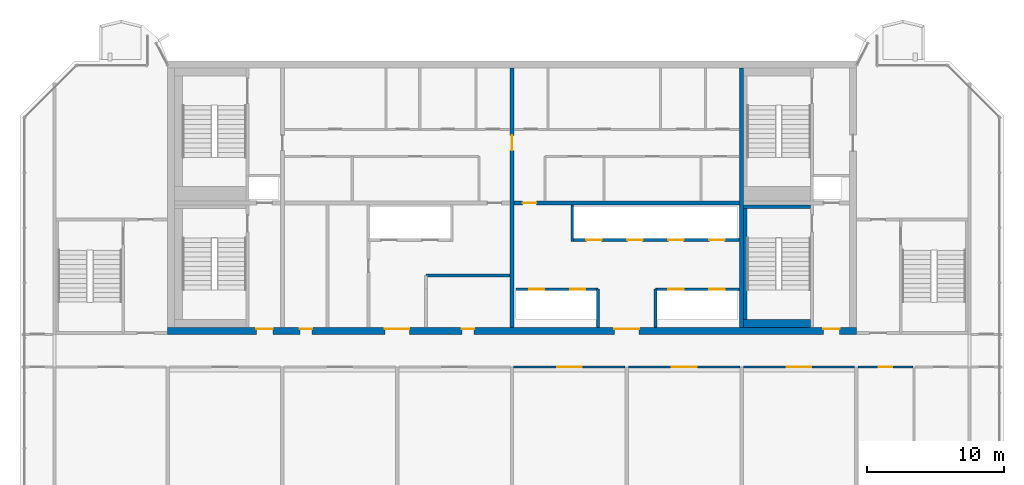
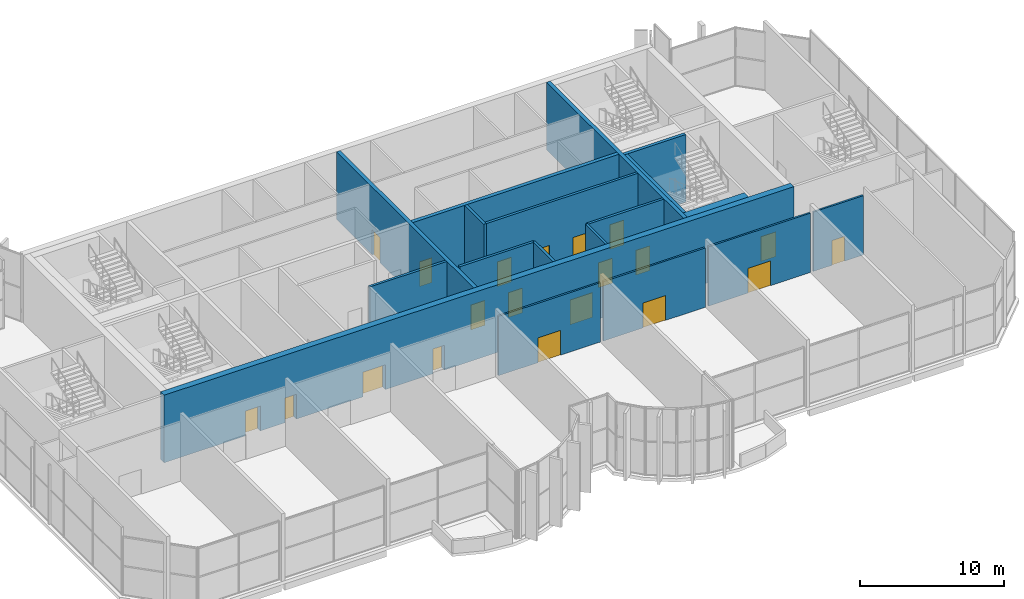
# One storey, part 14 of 17: 20 doors, 18 walls, 20 openings.
"""IFC4 building model written with IfcOpenShell, lengths in metres."""

import ifcopenshell
import ifcopenshell.guid

model = None  # the IFC model being written
_history = None  # IfcOwnerHistory: only IFC2X3 demands one
_inside = {}  # id of a spatial element -> (the spatial element, [elements in it])
_under = {}  # id of a project, library or spatial element -> (it, [spatial elements below it])
_declared = {}  # id of a project -> (the project, [libraries it declares])
_typed = {}  # id of a type object -> (the type object, [elements of that type])
_made_of = {}  # id of a material, layer set ... -> (it, [elements and type objects made of it])


def new_model(schema):
    """Start an empty IFC model of exactly this schema.

    Asked for "IFC4X3", IfcOpenShell would pick the latest addendum, in which some entities
    have other attributes; the version numbers below select the first issue.
    IFC2X3 requires an IfcOwnerHistory on every rooted entity: one is made here for all.
    """
    global model, _history
    if schema == "IFC4X3":
        model = ifcopenshell.file(schema_version=(4, 3, 0, 0))
    else:
        model = ifcopenshell.file(schema=schema)
    _inside.clear()
    _under.clear()
    _declared.clear()
    _typed.clear()
    _made_of.clear()
    _history = None
    if model.schema == "IFC2X3":
        org = make("IfcOrganization", Name="unknown")
        user = make(
            "IfcPersonAndOrganization",
            ThePerson=make("IfcPerson", FamilyName="unknown"),
            TheOrganization=org,
        )
        app = make(
            "IfcApplication",
            ApplicationDeveloper=org,
            Version="unknown",
            ApplicationFullName="unknown",
            ApplicationIdentifier="unknown",
        )
        _history = make(
            "IfcOwnerHistory",
            OwningUser=user,
            OwningApplication=app,
            ChangeAction="ADDED",
            CreationDate=0,
        )
    return model


def make(cls, **values):
    """One entity of the class cls with the attributes given. An attribute that is None is left unset."""
    return model.create_entity(
        cls, **{name: value for name, value in values.items() if value is not None}
    )


def rooted(cls, **values):
    """An entity with a GlobalId (a new one), such as an element, a storey or a relation."""
    return make(cls, GlobalId=ifcopenshell.guid.new(), OwnerHistory=_history, **values)


def si_unit(unit_type, name, prefix=None):
    """IfcSIUnit, for example si_unit("LENGTHUNIT", "METRE", prefix="MILLI")."""
    return make("IfcSIUnit", UnitType=unit_type, Prefix=prefix, Name=name)


def assignment(units):
    """IfcUnitAssignment: the units of a project."""
    return None if units is None else make("IfcUnitAssignment", Units=units)


def point(xyz):
    """IfcCartesianPoint."""
    return None if xyz is None else make("IfcCartesianPoint", Coordinates=xyz)


def direction(xyz):
    """IfcDirection."""
    return None if xyz is None else make("IfcDirection", DirectionRatios=xyz)


def frame(location, z_axis=None, x_axis=None):
    """IfcAxis2Placement3D, a coordinate frame: its origin and axes. An axis left out is left unset."""
    return make(
        "IfcAxis2Placement3D",
        Location=point(location),
        Axis=direction(z_axis),
        RefDirection=direction(x_axis),
    )


def frame_2d(location, x_axis=None):
    """IfcAxis2Placement2D, a coordinate frame in the plane: its origin and x axis."""
    return make(
        "IfcAxis2Placement2D", Location=point(location), RefDirection=direction(x_axis)
    )


def origin():
    """The frame at (0, 0, 0) with its axes left unset."""
    return frame((0.0, 0.0, 0.0))


def place(relative_to, where):
    """IfcLocalPlacement: puts the frame where relative to a parent placement (None: the world)."""
    return make(
        "IfcLocalPlacement", PlacementRelTo=relative_to, RelativePlacement=where
    )


def context(
    kind, dimensions, precision=None, world=None, true_north=None, identifier=None
):
    """IfcGeometricRepresentationContext, for example the 3D "Model" context."""
    return make(
        "IfcGeometricRepresentationContext",
        ContextIdentifier=identifier,
        ContextType=kind,
        CoordinateSpaceDimension=dimensions,
        Precision=precision,
        WorldCoordinateSystem=world,
        TrueNorth=true_north,
    )


def subcontext(parent, identifier, kind, view, scale=None):
    """IfcGeometricRepresentationSubContext, for example "Body" below "Model"."""
    return make(
        "IfcGeometricRepresentationSubContext",
        ContextIdentifier=identifier,
        ContextType=kind,
        ParentContext=parent,
        TargetScale=scale,
        TargetView=view,
    )


def project(units=None, contexts=None):
    """IfcProject with its units and contexts."""
    return rooted(
        "IfcProject",
        Name="project",
        RepresentationContexts=contexts,
        UnitsInContext=assignment(units),
    )


def spatial(cls, under=None, at=None, **own):
    """A site, building, storey or space (cls), placed at a placement, below another one or the project."""
    s = rooted(cls, ObjectPlacement=at, **own)
    if under is not None:
        _under.setdefault(under.id(), (under, []))[1].append(s)
    return s


def profile(cls, at=None, kind="AREA", **sizes):
    """A parametric profile (cls). Its sizes go by their IFC names, for example OverallWidth=200.0."""
    return make(cls, ProfileType=kind, Position=at, **sizes)


def rectangle(**sizes):
    """IfcRectangleProfileDef."""
    return profile("IfcRectangleProfileDef", **sizes)


def extrude(swept, where, along, depth):
    """IfcExtrudedAreaSolid: the profile swept, set in the frame where, extruded along a direction by depth."""
    return make(
        "IfcExtrudedAreaSolid",
        SweptArea=swept,
        Position=where,
        ExtrudedDirection=direction(along),
        Depth=depth,
    )


def shape(context_of_items, identifier, shape_type, items):
    """IfcShapeRepresentation: the items that make up one representation, for example the "Body"."""
    return make(
        "IfcShapeRepresentation",
        ContextOfItems=context_of_items,
        RepresentationIdentifier=identifier,
        RepresentationType=shape_type,
        Items=items,
    )


def source(mapping_origin, context_of_items, identifier, shape_type, items):
    """IfcRepresentationMap: a shape defined once, which mapped items show again and again."""
    return make(
        "IfcRepresentationMap",
        MappingOrigin=mapping_origin,
        MappedRepresentation=shape(context_of_items, identifier, shape_type, items),
    )


def transform(
    local_origin,
    x_axis=None,
    y_axis=None,
    z_axis=None,
    scale=None,
    scale2=None,
    scale3=None,
    uniform=True,
):
    """IfcCartesianTransformationOperator3D, or its non-uniform kind. x_axis, y_axis, z_axis: its Axis1, 2, 3."""
    if uniform:
        return make(
            "IfcCartesianTransformationOperator3D",
            Axis1=direction(x_axis),
            Axis2=direction(y_axis),
            LocalOrigin=point(local_origin),
            Scale=scale,
            Axis3=direction(z_axis),
        )
    return make(
        "IfcCartesianTransformationOperator3DnonUniform",
        Axis1=direction(x_axis),
        Axis2=direction(y_axis),
        LocalOrigin=point(local_origin),
        Scale=scale,
        Axis3=direction(z_axis),
        Scale2=scale2,
        Scale3=scale3,
    )


def mapped(mapping_source, mapping_target):
    """IfcMappedItem: shows the shape of a source again, moved by a transform."""
    return make(
        "IfcMappedItem", MappingSource=mapping_source, MappingTarget=mapping_target
    )


def material(Name=None, Category=None):
    """IfcMaterial."""
    return make("IfcMaterial", Name=Name, Category=Category)


def layer(
    of_material, thickness, ventilated=None, Name=None, Category=None, Priority=None
):
    """IfcMaterialLayer: one layer of a wall or slab, of a material (None: an air gap)."""
    return make(
        "IfcMaterialLayer",
        Material=of_material,
        LayerThickness=thickness,
        IsVentilated=ventilated,
        Name=Name,
        Category=Category,
        Priority=Priority,
    )


def layer_set(layers, Name=None):
    """IfcMaterialLayerSet."""
    return make("IfcMaterialLayerSet", MaterialLayers=layers, LayerSetName=Name)


def made_of(thing, what):
    """Note that an element or type object is made of a material, layer set ...; save() writes the relation."""
    if what is not None:
        _made_of.setdefault(what.id(), (what, []))[1].append(thing)
    return thing


def type_object(cls, material=None, **own):
    """A type object (cls), such as IfcWallType, which elements share."""
    return made_of(rooted(cls, **own), material)


def element(
    cls,
    number,
    at=None,
    inside=None,
    cuts=None,
    type_object=None,
    material=None,
    context=None,
    identifier="Body",
    shape_type=None,
    held_by="IfcProductDefinitionShape",
    body=None,
    shapes=None,
    **own,
):
    """One element of the class cls, such as IfcWall. Its Tag is "e" and its number.

    at: its placement. inside: the storey or other place that contains it. cuts: it is an
    opening in that element (IfcRelVoidsElement). A single representation is given by context,
    identifier, shape_type and body (its items); several are given by shapes. held_by: the class
    of the entity that holds the representations. save() writes the other relations.
    """
    e = rooted(cls, Tag="e%d" % number, ObjectPlacement=at, **own)
    if body is not None:
        shapes = [shape(context, identifier, shape_type, body)]
    if shapes is not None:
        e.Representation = make(held_by, Representations=shapes)
    if inside is not None:
        _inside.setdefault(inside.id(), (inside, []))[1].append(e)
    if cuts is not None:
        rooted(
            "IfcRelVoidsElement", RelatingBuildingElement=cuts, RelatedOpeningElement=e
        )
    if type_object is not None:
        _typed.setdefault(type_object.id(), (type_object, []))[1].append(e)
    return made_of(e, material)


def fill(opening, filler):
    """IfcRelFillsElement: the door or window that sits in an opening."""
    return rooted(
        "IfcRelFillsElement",
        RelatingOpeningElement=opening,
        RelatedBuildingElement=filler,
    )


def aggregate(whole, parts):
    """IfcRelAggregates: a whole, such as a stair, and the parts it consists of."""
    return rooted("IfcRelAggregates", RelatingObject=whole, RelatedObjects=parts)


def save(model, path):
    """Write the relations noted so far, then the file.

    IfcRelAggregates (storeys below a building ...), IfcRelContainedInSpatialStructure (elements
    in a storey), IfcRelDefinesByType, IfcRelAssociatesMaterial and IfcRelDeclares: one each for
    every whole, place, type object, material and project.
    """
    for whole, parts in _under.values():
        aggregate(whole, parts)
    for where, things in _inside.values():
        rooted(
            "IfcRelContainedInSpatialStructure",
            RelatedElements=things,
            RelatingStructure=where,
        )
    for kind, things in _typed.values():
        rooted("IfcRelDefinesByType", RelatedObjects=things, RelatingType=kind)
    for what, things in _made_of.values():
        rooted("IfcRelAssociatesMaterial", RelatedObjects=things, RelatingMaterial=what)
    for by, libraries in _declared.values():
        rooted("IfcRelDeclares", RelatingContext=by, RelatedDefinitions=libraries)
    model.write(path)


model = new_model("IFC4")

# Units and contexts
model_context = context("Model", 3, precision=1e-05, world=origin(), true_north=direction((0.0, 1.0)))
body_context = subcontext(model_context, "Body", "Model", "MODEL_VIEW")
ifc_project = project(units=[si_unit("LENGTHUNIT", "METRE"), si_unit("AREAUNIT", "SQUARE_METRE"), si_unit("VOLUMEUNIT", "CUBIC_METRE"), si_unit("PLANEANGLEUNIT", "RADIAN"), si_unit("MASSUNIT", "GRAM", prefix="KILO")], contexts=[model_context])

# Site, building, storey
site_placement = place(None, origin())
site = spatial("IfcSite", under=ifc_project, at=site_placement, CompositionType="ELEMENT")
building_placement = place(site_placement, origin())
building = spatial("IfcBuilding", under=site, at=building_placement, Name="Vanashikhar Sky Hotel", CompositionType="ELEMENT")
storey_placement = place(building_placement, frame((0.0, 0.0, 323.699951171875)))
storey = spatial("IfcBuildingStorey", under=building, at=storey_placement, Name="L77", CompositionType="ELEMENT", Elevation=323.699951171875)

# Wall, openings, doors
ifc_material_1 = material(Name="Concrete M50", Category="concrete")
ifc_layer_1 = layer(ifc_material_1, 0.5)
ifc_layer_set_1 = layer_set([ifc_layer_1], Name="RC core shell wall 500 Concrete M50")
wall_type_1 = type_object("IfcWallType", Name="RC core shell wall 500 Concrete M50", PredefinedType="SHEAR", material=ifc_layer_set_1)
shared_shape_1 = source(origin(), body_context, "Body", "SweptSolid", [
    extrude(rectangle(XDim=50.400146484375, YDim=0.5, at=frame_2d((25.2001953125, 0.0))), origin(), (0.0, 0.0, 1.0), 5.719970703125),
])
wall_1_placement = place(storey_placement, frame((25.199951171875, 22.25, 0.0), z_axis=(0.0, 0.0, 1.0), x_axis=(1.0, 0.0, 0.0)))
wall_1 = element("IfcWall", 1, at=wall_1_placement, inside=storey, type_object=wall_type_1, Name="KW-L77-KS", PredefinedType="SHEAR", context=body_context, shape_type="MappedRepresentation", body=[
    mapped(shared_shape_1, transform((0.0, 0.0, 0.0), scale=1.0)),
])
shared_shape_2 = source(origin(), body_context, "Body", "SweptSolid", [
    extrude(rectangle(XDim=1.800048828125, YDim=2.10009765625, at=frame_2d((0.89990234375, 1.050048828125))), frame((0.0, 0.260009765625, 0.0), z_axis=(0.0, -1.0, 0.0), x_axis=(1.0, 0.0, 0.0)), (0.0, 0.0, 1.0), 0.52001953125),
])
opening_1_placement = place(wall_1_placement, frame((15.89990234375, 0.0, 0.0)))
opening_1 = element("IfcOpeningElement", 2, at=opening_1_placement, cuts=wall_1, Name="Opening DC-3-A", PredefinedType="OPENING", context=body_context, shape_type="MappedRepresentation", body=[
    mapped(shared_shape_2, transform((0.0, 0.0, 0.0), scale=1.0)),
])
shared_shape_3 = source(origin(), body_context, "Body", "SweptSolid", [
    extrude(rectangle(XDim=0.89990234375, YDim=2.10009765625, at=frame_2d((0.449951171875, 1.050048828125))), frame((0.0, 0.260009765625, 0.0), z_axis=(0.0, -1.0, 0.0), x_axis=(1.0, 0.0, 0.0)), (0.0, 0.0, 1.0), 0.52001953125),
])
opening_2_placement = place(wall_1_placement, frame((9.675048828125, 0.0, 0.0)))
opening_2 = element("IfcOpeningElement", 3, at=opening_2_placement, cuts=wall_1, Name="Opening DC-4-A", PredefinedType="OPENING", context=body_context, shape_type="MappedRepresentation", body=[
    mapped(shared_shape_3, transform((0.0, 0.0, 0.0), scale=1.0)),
])
opening_3_placement = place(wall_1_placement, frame((21.52490234375, 0.0, 0.0)))
opening_3 = element("IfcOpeningElement", 4, at=opening_3_placement, cuts=wall_1, Name="Opening DC-4-A", PredefinedType="OPENING", context=body_context, shape_type="MappedRepresentation", body=[
    mapped(shared_shape_3, transform((0.0, 0.0, 0.0), scale=1.0)),
])
opening_4_placement = place(wall_1_placement, frame((32.699951171875, 0.0, 0.0)))
opening_4 = element("IfcOpeningElement", 5, at=opening_4_placement, cuts=wall_1, Name="Opening DC-3-A", PredefinedType="OPENING", context=body_context, shape_type="MappedRepresentation", body=[
    mapped(shared_shape_2, transform((0.0, 0.0, 0.0), scale=1.0)),
])
shared_shape_4 = source(origin(), body_context, "Body", "SweptSolid", [
    extrude(rectangle(XDim=1.199951171875, YDim=2.10009765625, at=frame_2d((0.60009765625, 1.050048828125))), frame((0.0, 0.260009765625, 0.0), z_axis=(0.0, -1.0, 0.0), x_axis=(1.0, 0.0, 0.0)), (0.0, 0.0, 1.0), 0.52001953125),
])
opening_5_placement = place(wall_1_placement, frame((6.5, 0.0, 0.0)))
opening_5 = element("IfcOpeningElement", 6, at=opening_5_placement, cuts=wall_1, Name="Opening DC-2", PredefinedType="OPENING", context=body_context, shape_type="MappedRepresentation", body=[
    mapped(shared_shape_4, transform((0.0, 0.0, 0.0), scale=1.0)),
])
opening_6_placement = place(wall_1_placement, frame((47.97509765625, 0.0, 0.0)))
opening_6 = element("IfcOpeningElement", 7, at=opening_6_placement, cuts=wall_1, Name="Opening DC-2", PredefinedType="OPENING", context=body_context, shape_type="MappedRepresentation", body=[
    mapped(shared_shape_4, transform((0.0, 0.0, 0.0), scale=1.0)),
])
ifc_material_2 = material(Name="Steel", Category="steel")
door_type_1 = type_object("IfcDoorType", Name="Firefighting lobby door 1200 FD120", OperationType="NOTDEFINED", PredefinedType="DOOR", material=ifc_material_2)
shared_shape_5 = source(origin(), body_context, "Body", "SweptSolid", [
    extrude(rectangle(XDim=1.199951171875, YDim=2.10009765625, at=frame_2d((0.60009765625, 1.050048828125))), frame((0.0, 0.1748046875, 0.0), z_axis=(0.0, -1.0, 0.0), x_axis=(1.0, 0.0, 0.0)), (0.0, 0.0, 1.0), 0.050048828125),
])
door_1_placement = place(opening_5_placement, origin())
door_1 = element("IfcDoor", 8, at=door_1_placement, inside=storey, type_object=door_type_1, Name="Firefighting lobby door 1200 FD120", OperationType="SINGLE_SWING_LEFT", OverallHeight=2.10009765625, OverallWidth=1.199951171875, PredefinedType="DOOR", context=body_context, shape_type="MappedRepresentation", body=[
    mapped(shared_shape_5, transform((0.0, 0.0, 0.0), scale=1.0)),
])
fill(opening_5, door_1)
door_2_placement = place(opening_6_placement, origin())
door_2 = element("IfcDoor", 9, at=door_2_placement, inside=storey, type_object=door_type_1, Name="Firefighting lobby door 1200 FD120", OperationType="SINGLE_SWING_RIGHT", OverallHeight=2.10009765625, OverallWidth=1.199951171875, PredefinedType="DOOR", context=body_context, shape_type="MappedRepresentation", body=[
    mapped(shared_shape_5, transform((0.0, 0.0, 0.0), scale=1.0)),
])
fill(opening_6, door_2)
door_type_2 = type_object("IfcDoorType", Name="Service door 900 FD60", OperationType="NOTDEFINED", PredefinedType="DOOR", material=ifc_material_2)
shared_shape_6 = source(origin(), body_context, "Body", "SweptSolid", [
    extrude(rectangle(XDim=0.89990234375, YDim=2.10009765625, at=frame_2d((0.449951171875, 1.050048828125))), frame((0.0, 0.1748046875, 0.0), z_axis=(0.0, -1.0, 0.0), x_axis=(1.0, 0.0, 0.0)), (0.0, 0.0, 1.0), 0.050048828125),
])
door_3_placement = place(opening_2_placement, origin())
door_3 = element("IfcDoor", 10, at=door_3_placement, inside=storey, type_object=door_type_2, Name="Service door 900 FD60", OperationType="SINGLE_SWING_RIGHT", OverallHeight=2.10009765625, OverallWidth=0.89990234375, PredefinedType="DOOR", context=body_context, shape_type="MappedRepresentation", body=[
    mapped(shared_shape_6, transform((0.0, 0.0, 0.0), scale=1.0)),
])
fill(opening_2, door_3)
door_4_placement = place(opening_3_placement, origin())
door_4 = element("IfcDoor", 11, at=door_4_placement, inside=storey, type_object=door_type_2, Name="Service door 900 FD60", OperationType="SINGLE_SWING_LEFT", OverallHeight=2.10009765625, OverallWidth=0.89990234375, PredefinedType="DOOR", context=body_context, shape_type="MappedRepresentation", body=[
    mapped(shared_shape_6, transform((0.0, 0.0, 0.0), scale=1.0)),
])
fill(opening_3, door_4)
ifc_material_3 = material(Name="Glass", Category="glass")
door_type_3 = type_object("IfcDoorType", Name="Lift lobby entrance door 1800 FD30S", OperationType="NOTDEFINED", PredefinedType="DOOR", material=ifc_material_3)
shared_shape_7 = source(origin(), body_context, "Body", "SweptSolid", [
    extrude(rectangle(XDim=1.800048828125, YDim=2.10009765625, at=frame_2d((0.89990234375, 1.050048828125))), frame((0.0, 0.1748046875, 0.0), z_axis=(0.0, -1.0, 0.0), x_axis=(1.0, 0.0, 0.0)), (0.0, 0.0, 1.0), 0.050048828125),
])
door_5_placement = place(opening_1_placement, origin())
door_5 = element("IfcDoor", 12, at=door_5_placement, inside=storey, type_object=door_type_3, Name="Lift lobby entrance door 1800 FD30S", OperationType="DOUBLE_DOOR_SINGLE_SWING", OverallHeight=2.10009765625, OverallWidth=1.800048828125, PredefinedType="DOOR", context=body_context, shape_type="MappedRepresentation", body=[
    mapped(shared_shape_7, transform((0.0, 0.0, 0.0), scale=1.0)),
])
fill(opening_1, door_5)
door_6_placement = place(opening_4_placement, origin())
door_6 = element("IfcDoor", 13, at=door_6_placement, inside=storey, type_object=door_type_3, Name="Lift lobby entrance door 1800 FD30S", OperationType="DOUBLE_DOOR_SINGLE_SWING", OverallHeight=2.10009765625, OverallWidth=1.800048828125, PredefinedType="DOOR", context=body_context, shape_type="MappedRepresentation", body=[
    mapped(shared_shape_7, transform((0.0, 0.0, 0.0), scale=1.0)),
])
fill(opening_4, door_6)

# Wall, opening, door
ifc_layer_2 = layer(ifc_material_1, 0.300048828125)
ifc_layer_set_2 = layer_set([ifc_layer_2], Name="RC core inner wall 300 Concrete M50")
wall_type_2 = type_object("IfcWallType", Name="RC core inner wall 300 Concrete M50", PredefinedType="SHEAR", material=ifc_layer_set_2)
shared_shape_8 = source(origin(), body_context, "Body", "SweptSolid", [
    extrude(rectangle(XDim=19.0, YDim=0.300048828125, at=frame_2d((9.5, 0.0))), origin(), (0.0, 0.0, 1.0), 5.719970703125),
])
wall_2_placement = place(storey_placement, frame((50.39990234375, 22.5, 0.0), z_axis=(0.0, 0.0, 1.0), x_axis=(0.0, 1.0, 0.0)))
wall_2 = element("IfcWall", 14, at=wall_2_placement, inside=storey, type_object=wall_type_2, Name="KW-L77-KX2", PredefinedType="SHEAR", context=body_context, shape_type="MappedRepresentation", body=[
    mapped(shared_shape_8, transform((0.0, 0.0, 0.0), scale=1.0)),
])
shared_shape_9 = source(origin(), body_context, "Body", "SweptSolid", [
    extrude(rectangle(XDim=1.10009765625, YDim=2.10009765625, at=frame_2d((0.550048828125, 1.050048828125))), frame((0.0, 0.16015625, 0.0), z_axis=(0.0, -1.0, 0.0), x_axis=(1.0, 0.0, 0.0)), (0.0, 0.0, 1.0), 0.320068359375),
])
opening_7_placement = place(wall_2_placement, frame((12.949951171875, 0.0, 0.0)))
opening_7 = element("IfcOpeningElement", 15, at=opening_7_placement, cuts=wall_2, Name="Opening DC-4-C", PredefinedType="OPENING", context=body_context, shape_type="MappedRepresentation", body=[
    mapped(shared_shape_9, transform((0.0, 0.0, 0.0), scale=1.0)),
])
door_type_4 = type_object("IfcDoorType", Name="Service door 1100 FD60", OperationType="NOTDEFINED", PredefinedType="DOOR", material=ifc_material_2)
shared_shape_10 = source(origin(), body_context, "Body", "SweptSolid", [
    extrude(rectangle(XDim=1.10009765625, YDim=2.10009765625, at=frame_2d((0.550048828125, 1.050048828125))), frame((0.0, 0.02490234375, 0.0), z_axis=(0.0, -1.0, 0.0), x_axis=(1.0, 0.0, 0.0)), (0.0, 0.0, 1.0), 0.050048828125),
])
door_7_placement = place(opening_7_placement, origin())
door_7 = element("IfcDoor", 16, at=door_7_placement, inside=storey, type_object=door_type_4, Name="Service door 1100 FD60", OperationType="SINGLE_SWING_LEFT", OverallHeight=2.10009765625, OverallWidth=1.10009765625, PredefinedType="DOOR", context=body_context, shape_type="MappedRepresentation", body=[
    mapped(shared_shape_10, transform((0.0, 0.0, 0.0), scale=1.0)),
])
fill(opening_7, door_7)

# Wall
wall_3_placement = place(storey_placement, frame((67.199951171875, 22.5, 0.0), z_axis=(0.0, 0.0, 1.0), x_axis=(0.0, 1.0, 0.0)))
element("IfcWall", 17, at=wall_3_placement, inside=storey, type_object=wall_type_2, Name="KW-L77-KX3", PredefinedType="SHEAR", context=body_context, shape_type="MappedRepresentation", body=[
    mapped(shared_shape_8, transform((0.0, 0.0, 0.0), scale=1.0)),
])

# Wall, opening, door
shared_shape_11 = source(origin(), body_context, "Body", "SweptSolid", [
    extrude(rectangle(XDim=16.5, YDim=0.300048828125, at=frame_2d((8.25, 0.0))), origin(), (0.0, 0.0, 1.0), 5.719970703125),
])
wall_4_placement = place(storey_placement, frame((50.550048828125, 31.60009765625, 0.0), z_axis=(0.0, 0.0, 1.0), x_axis=(1.0, 0.0, 0.0)))
wall_4 = element("IfcWall", 18, at=wall_4_placement, inside=storey, type_object=wall_type_2, Name="KW-L77-KY3", PredefinedType="SHEAR", context=body_context, shape_type="MappedRepresentation", body=[
    mapped(shared_shape_11, transform((0.0, 0.0, 0.0), scale=1.0)),
])
shared_shape_12 = source(origin(), body_context, "Body", "SweptSolid", [
    extrude(rectangle(XDim=1.0, YDim=2.10009765625, at=frame_2d((0.5, 1.050048828125))), frame((0.0, 0.16015625, 0.0), z_axis=(0.0, -1.0, 0.0), x_axis=(1.0, 0.0, 0.0)), (0.0, 0.0, 1.0), 0.320068359375),
])
opening_8_placement = place(wall_4_placement, frame((0.625, 0.0, 0.0)))
opening_8 = element("IfcOpeningElement", 19, at=opening_8_placement, cuts=wall_4, Name="Opening DC-4", PredefinedType="OPENING", context=body_context, shape_type="MappedRepresentation", body=[
    mapped(shared_shape_12, transform((0.0, 0.0, 0.0), scale=1.0)),
])
door_type_5 = type_object("IfcDoorType", Name="Service door 1000 FD60", OperationType="NOTDEFINED", PredefinedType="DOOR", material=ifc_material_2)
shared_shape_13 = source(origin(), body_context, "Body", "SweptSolid", [
    extrude(rectangle(XDim=1.0, YDim=2.10009765625, at=frame_2d((0.5, 1.050048828125))), frame((0.0, 0.02490234375, 0.0), z_axis=(0.0, -1.0, 0.0), x_axis=(1.0, 0.0, 0.0)), (0.0, 0.0, 1.0), 0.050048828125),
])
door_8_placement = place(opening_8_placement, origin())
door_8 = element("IfcDoor", 20, at=door_8_placement, inside=storey, type_object=door_type_5, Name="Service door 1000 FD60", OperationType="SINGLE_SWING_RIGHT", OverallHeight=2.10009765625, OverallWidth=1.0, PredefinedType="DOOR", context=body_context, shape_type="MappedRepresentation", body=[
    mapped(shared_shape_13, transform((0.0, 0.0, 0.0), scale=1.0)),
])
fill(opening_8, door_8)

# Wall, openings, doors
ifc_material_4 = material(Name="Concrete M40", Category="concrete")
ifc_layer_3 = layer(ifc_material_4, 0.199951171875)
ifc_layer_set_3 = layer_set([ifc_layer_3], Name="Shaft wall 200")
wall_type_3 = type_object("IfcWallType", Name="Shaft wall 200", PredefinedType="SOLIDWALL", material=ifc_layer_set_3)
shared_shape_14 = source(origin(), body_context, "Body", "SweptSolid", [
    extrude(rectangle(XDim=6.0, YDim=0.199951171875, at=frame_2d((3.0, 0.0))), origin(), (0.0, 0.0, 1.0), 5.719970703125),
])
wall_5_placement = place(storey_placement, frame((56.699951171875, 25.300048828125, 0.0), z_axis=(0.0, 0.0, 1.0), x_axis=(-1.0, 0.0, 0.0)))
wall_5 = element("IfcWall", 21, at=wall_5_placement, inside=storey, type_object=wall_type_3, Name="Shaft wall 200", PredefinedType="SOLIDWALL", context=body_context, shape_type="MappedRepresentation", body=[
    mapped(shared_shape_14, transform((0.0, 0.0, 0.0), scale=1.0)),
])
shared_shape_15 = source(origin(), body_context, "Body", "SweptSolid", [
    extrude(rectangle(XDim=1.10009765625, YDim=2.10009765625, at=frame_2d((0.550048828125, 1.050048828125))), frame((0.0, 0.10986328125, 0.0), z_axis=(0.0, -1.0, 0.0), x_axis=(1.0, 0.0, 0.0)), (0.0, 0.0, 1.0), 0.219970703125),
])
opening_9_placement = place(wall_5_placement, frame((0.949951171875, 0.0, 0.0)))
opening_9 = element("IfcOpeningElement", 22, at=opening_9_placement, cuts=wall_5, Name="Opening LD", PredefinedType="OPENING", context=body_context, shape_type="MappedRepresentation", body=[
    mapped(shared_shape_15, transform((0.0, 0.0, 0.0), scale=1.0)),
])
opening_10_placement = place(wall_5_placement, frame((3.949951171875, 0.0, 0.0)))
opening_10 = element("IfcOpeningElement", 23, at=opening_10_placement, cuts=wall_5, Name="Opening LD", PredefinedType="OPENING", context=body_context, shape_type="MappedRepresentation", body=[
    mapped(shared_shape_15, transform((0.0, 0.0, 0.0), scale=1.0)),
])
ifc_material_5 = material(Name="Stainless steel", Category="steel")
door_type_6 = type_object("IfcDoorType", Name="Lift landing door 1100", OperationType="NOTDEFINED", PredefinedType="DOOR", material=ifc_material_5)
door_9_placement = place(opening_9_placement, origin())
door_9 = element("IfcDoor", 24, at=door_9_placement, inside=storey, type_object=door_type_6, Name="Lift landing door 1100", OperationType="SLIDING_TO_RIGHT", OverallHeight=2.10009765625, OverallWidth=1.10009765625, PredefinedType="DOOR", context=body_context, shape_type="MappedRepresentation", body=[
    mapped(shared_shape_10, transform((0.0, 0.0, 0.0), scale=1.0)),
])
fill(opening_9, door_9)
door_10_placement = place(opening_10_placement, origin())
door_10 = element("IfcDoor", 25, at=door_10_placement, inside=storey, type_object=door_type_6, Name="Lift landing door 1100", OperationType="SLIDING_TO_LEFT", OverallHeight=2.10009765625, OverallWidth=1.10009765625, PredefinedType="DOOR", context=body_context, shape_type="MappedRepresentation", body=[
    mapped(shared_shape_10, transform((0.0, 0.0, 0.0), scale=1.0)),
])
fill(opening_10, door_10)

# Walls
shared_shape_16 = source(origin(), body_context, "Body", "SweptSolid", [
    extrude(rectangle(XDim=2.800048828125, YDim=0.199951171875, at=frame_2d((1.39990234375, 0.0))), origin(), (0.0, 0.0, 1.0), 5.719970703125),
])
for number, where, z_axis, x_axis, name in (
    (26, (60.89990234375, 22.5, 0.0), (0.0, 0.0, 1.0), (0.0, 1.0, 0.0), "Shaft wall 200"),
    (27, (56.699951171875, 22.5, 0.0), (0.0, 0.0, 1.0), (0.0, 1.0, 0.0), "Shaft wall 200"),
):
    element("IfcWall", number, at=place(storey_placement, frame(where, z_axis=z_axis, x_axis=x_axis)), inside=storey, type_object=wall_type_3, Name=name, PredefinedType="SOLIDWALL", context=body_context, shape_type="MappedRepresentation", body=[
        mapped(shared_shape_16, transform((0.0, 0.0, 0.0), scale=1.0)),
    ])
shared_shape_17 = source(origin(), body_context, "Body", "SweptSolid", [
    extrude(rectangle(XDim=2.64990234375, YDim=0.199951171875, at=frame_2d((1.324951171875, 0.0))), origin(), (0.0, 0.0, 1.0), 5.719970703125),
])
wall_6_placement = place(storey_placement, frame((54.800048828125, 28.800048828125, 0.0), z_axis=(0.0, 0.0, 1.0), x_axis=(0.0, 1.0, 0.0)))
element("IfcWall", 28, at=wall_6_placement, inside=storey, type_object=wall_type_3, Name="Shaft wall 200", PredefinedType="SOLIDWALL", context=body_context, shape_type="MappedRepresentation", body=[
    mapped(shared_shape_17, transform((0.0, 0.0, 0.0), scale=1.0)),
])
ifc_material_6 = material(Name="Gypsum board partition")
ifc_layer_4 = layer(ifc_material_6, 0.14990234375)
ifc_layer_set_4 = layer_set([ifc_layer_4], Name="Service partition 150")
wall_type_4 = type_object("IfcWallType", Name="Service partition 150", PredefinedType="PARTITIONING", material=ifc_layer_set_4)
shared_shape_18 = source(origin(), body_context, "Body", "SweptSolid", [
    extrude(rectangle(XDim=6.14990234375, YDim=0.199951171875, at=frame_2d((3.074951171875, 0.0))), origin(), (0.0, 0.0, 1.0), 5.719970703125),
])
wall_7_placement = place(storey_placement, frame((44.10009765625, 26.300048828125, 0.0), z_axis=(0.0, 0.0, 1.0), x_axis=(1.0, 0.0, 0.0)))
element("IfcWall", 29, at=wall_7_placement, inside=storey, type_object=wall_type_4, Name="Service partition 150", PredefinedType="PARTITIONING", context=body_context, shape_type="MappedRepresentation", body=[
    mapped(shared_shape_18, transform((0.0, 0.0, 0.0), scale=1.0)),
])

# Wall, openings, doors
shared_shape_19 = source(origin(), body_context, "Body", "SweptSolid", [
    extrude(rectangle(XDim=6.150146484375, YDim=0.199951171875, at=frame_2d((3.0751953125, 0.0))), origin(), (0.0, 0.0, 1.0), 5.719970703125),
])
wall_8_placement = place(storey_placement, frame((67.050048828125, 25.300048828125, 0.0), z_axis=(0.0, 0.0, 1.0), x_axis=(-1.0, 0.0, 0.0)))
wall_8 = element("IfcWall", 30, at=wall_8_placement, inside=storey, type_object=wall_type_3, Name="Shaft wall 200", PredefinedType="SOLIDWALL", context=body_context, shape_type="MappedRepresentation", body=[
    mapped(shared_shape_19, transform((0.0, 0.0, 0.0), scale=1.0)),
])
opening_11_placement = place(wall_8_placement, frame((1.10009765625, 0.0, 0.0)))
opening_11 = element("IfcOpeningElement", 31, at=opening_11_placement, cuts=wall_8, Name="Opening LD", PredefinedType="OPENING", context=body_context, shape_type="MappedRepresentation", body=[
    mapped(shared_shape_15, transform((0.0, 0.0, 0.0), scale=1.0)),
])
opening_12_placement = place(wall_8_placement, frame((4.10009765625, 0.0, 0.0)))
opening_12 = element("IfcOpeningElement", 32, at=opening_12_placement, cuts=wall_8, Name="Opening LD", PredefinedType="OPENING", context=body_context, shape_type="MappedRepresentation", body=[
    mapped(shared_shape_15, transform((0.0, 0.0, 0.0), scale=1.0)),
])
door_11_placement = place(opening_11_placement, origin())
door_11 = element("IfcDoor", 33, at=door_11_placement, inside=storey, type_object=door_type_6, Name="Lift landing door 1100", OperationType="SLIDING_TO_RIGHT", OverallHeight=2.10009765625, OverallWidth=1.10009765625, PredefinedType="DOOR", context=body_context, shape_type="MappedRepresentation", body=[
    mapped(shared_shape_10, transform((0.0, 0.0, 0.0), scale=1.0)),
])
fill(opening_11, door_11)
door_12_placement = place(opening_12_placement, origin())
door_12 = element("IfcDoor", 34, at=door_12_placement, inside=storey, type_object=door_type_6, Name="Lift landing door 1100", OperationType="SLIDING_TO_LEFT", OverallHeight=2.10009765625, OverallWidth=1.10009765625, PredefinedType="DOOR", context=body_context, shape_type="MappedRepresentation", body=[
    mapped(shared_shape_10, transform((0.0, 0.0, 0.0), scale=1.0)),
])
fill(opening_12, door_12)

shared_shape_20 = source(origin(), body_context, "Body", "SweptSolid", [
    extrude(rectangle(XDim=12.150146484375, YDim=0.199951171875, at=frame_2d((6.0751953125, 0.0))), origin(), (0.0, 0.0, 1.0), 5.719970703125),
])
wall_9_placement = place(storey_placement, frame((67.050048828125, 28.89990234375, 0.0), z_axis=(0.0, 0.0, 1.0), x_axis=(-1.0, 0.0, 0.0)))
wall_9 = element("IfcWall", 35, at=wall_9_placement, inside=storey, type_object=wall_type_3, Name="Shaft wall 200", PredefinedType="SOLIDWALL", context=body_context, shape_type="MappedRepresentation", body=[
    mapped(shared_shape_20, transform((0.0, 0.0, 0.0), scale=1.0)),
])
opening_13_placement = place(wall_9_placement, frame((7.10009765625, 0.0, 0.0)))
opening_13 = element("IfcOpeningElement", 36, at=opening_13_placement, cuts=wall_9, Name="Opening LD", PredefinedType="OPENING", context=body_context, shape_type="MappedRepresentation", body=[
    mapped(shared_shape_15, transform((0.0, 0.0, 0.0), scale=1.0)),
])
opening_14_placement = place(wall_9_placement, frame((10.10009765625, 0.0, 0.0)))
opening_14 = element("IfcOpeningElement", 37, at=opening_14_placement, cuts=wall_9, Name="Opening LD", PredefinedType="OPENING", context=body_context, shape_type="MappedRepresentation", body=[
    mapped(shared_shape_15, transform((0.0, 0.0, 0.0), scale=1.0)),
])
opening_15_placement = place(wall_9_placement, frame((1.10009765625, 0.0, 0.0)))
opening_15 = element("IfcOpeningElement", 38, at=opening_15_placement, cuts=wall_9, Name="Opening LD", PredefinedType="OPENING", context=body_context, shape_type="MappedRepresentation", body=[
    mapped(shared_shape_15, transform((0.0, 0.0, 0.0), scale=1.0)),
])
opening_16_placement = place(wall_9_placement, frame((4.10009765625, 0.0, 0.0)))
opening_16 = element("IfcOpeningElement", 39, at=opening_16_placement, cuts=wall_9, Name="Opening LD", PredefinedType="OPENING", context=body_context, shape_type="MappedRepresentation", body=[
    mapped(shared_shape_15, transform((0.0, 0.0, 0.0), scale=1.0)),
])
door_13_placement = place(opening_13_placement, origin())
door_13 = element("IfcDoor", 40, at=door_13_placement, inside=storey, type_object=door_type_6, Name="Lift landing door 1100", OperationType="SLIDING_TO_RIGHT", OverallHeight=2.10009765625, OverallWidth=1.10009765625, PredefinedType="DOOR", context=body_context, shape_type="MappedRepresentation", body=[
    mapped(shared_shape_10, transform((0.0, 0.0, 0.0), scale=1.0)),
])
fill(opening_13, door_13)
door_14_placement = place(opening_14_placement, origin())
door_14 = element("IfcDoor", 41, at=door_14_placement, inside=storey, type_object=door_type_6, Name="Lift landing door 1100", OperationType="SLIDING_TO_LEFT", OverallHeight=2.10009765625, OverallWidth=1.10009765625, PredefinedType="DOOR", context=body_context, shape_type="MappedRepresentation", body=[
    mapped(shared_shape_10, transform((0.0, 0.0, 0.0), scale=1.0)),
])
fill(opening_14, door_14)
door_15_placement = place(opening_15_placement, origin())
door_15 = element("IfcDoor", 42, at=door_15_placement, inside=storey, type_object=door_type_6, Name="Lift landing door 1100", OperationType="SLIDING_TO_RIGHT", OverallHeight=2.10009765625, OverallWidth=1.10009765625, PredefinedType="DOOR", context=body_context, shape_type="MappedRepresentation", body=[
    mapped(shared_shape_10, transform((0.0, 0.0, 0.0), scale=1.0)),
])
fill(opening_15, door_15)
door_16_placement = place(opening_16_placement, origin())
door_16 = element("IfcDoor", 43, at=door_16_placement, inside=storey, type_object=door_type_6, Name="Lift landing door 1100", OperationType="SLIDING_TO_LEFT", OverallHeight=2.10009765625, OverallWidth=1.10009765625, PredefinedType="DOOR", context=body_context, shape_type="MappedRepresentation", body=[
    mapped(shared_shape_10, transform((0.0, 0.0, 0.0), scale=1.0)),
])
fill(opening_16, door_16)

# Walls
ifc_layer_5 = layer(ifc_material_1, 0.60009765625)
ifc_layer_set_5 = layer_set([ifc_layer_5], Name="Stair infill wall 600")
wall_type_5 = type_object("IfcWallType", Name="Stair infill wall 600", PredefinedType="SOLIDWALL", material=ifc_layer_set_5)
shared_shape_21 = source(origin(), body_context, "Body", "SweptSolid", [
    extrude(rectangle(XDim=4.89990234375, YDim=0.60009765625, at=frame_2d((2.449951171875, 0.0))), origin(), (0.0, 0.0, 1.0), 5.719970703125),
])
wall_10_placement = place(storey_placement, frame((67.35009765625, 22.800048828125, 0.0), z_axis=(0.0, 0.0, 1.0), x_axis=(1.0, 0.0, 0.0)))
element("IfcWall", 44, at=wall_10_placement, inside=storey, type_object=wall_type_5, Name="Stair infill wall 600", PredefinedType="SOLIDWALL", context=body_context, shape_type="MappedRepresentation", body=[
    mapped(shared_shape_21, transform((0.0, 0.0, 0.0), scale=1.0)),
])
ifc_layer_6 = layer(ifc_material_1, 0.25)
ifc_layer_set_6 = layer_set([ifc_layer_6], Name="Stair infill wall 250")
wall_type_6 = type_object("IfcWallType", Name="Stair infill wall 250", PredefinedType="SOLIDWALL", material=ifc_layer_set_6)
shared_shape_22 = source(origin(), body_context, "Body", "SweptSolid", [
    extrude(rectangle(XDim=4.89990234375, YDim=0.25, at=frame_2d((2.449951171875, 0.0))), origin(), (0.0, 0.0, 1.0), 5.719970703125),
])
wall_11_placement = place(storey_placement, frame((67.35009765625, 31.324951171875, 0.0), z_axis=(0.0, 0.0, 1.0), x_axis=(1.0, 0.0, 0.0)))
element("IfcWall", 45, at=wall_11_placement, inside=storey, type_object=wall_type_6, Name="Stair infill wall 250", PredefinedType="SOLIDWALL", context=body_context, shape_type="MappedRepresentation", body=[
    mapped(shared_shape_22, transform((0.0, 0.0, 0.0), scale=1.0)),
])
shared_shape_23 = source(origin(), body_context, "Body", "SweptSolid", [
    extrude(rectangle(XDim=8.099853515625, YDim=0.25, at=frame_2d((4.0498046875, 0.0))), origin(), (0.0, 0.0, 1.0), 5.719970703125),
])
wall_12_placement = place(storey_placement, frame((67.47509765625, 23.10009765625, 0.0), z_axis=(0.0, 0.0, 1.0), x_axis=(0.0, 1.0, 0.0)))
element("IfcWall", 46, at=wall_12_placement, inside=storey, type_object=wall_type_6, Name="Stair infill wall 250", PredefinedType="SOLIDWALL", context=body_context, shape_type="MappedRepresentation", body=[
    mapped(shared_shape_23, transform((0.0, 0.0, 0.0), scale=1.0)),
])

# Wall, opening, door
ifc_material_7 = material(Name="Gypsum plasterboard partition")
ifc_layer_7 = layer(ifc_material_7, 0.14990234375)
ifc_layer_set_7 = layer_set([ifc_layer_7], Name="Corridor and demising partition 150")
wall_type_7 = type_object("IfcWallType", Name="Corridor and demising partition 150", PredefinedType="PARTITIONING", material=ifc_layer_set_7)
shared_shape_24 = source(origin(), body_context, "Body", "SweptSolid", [
    extrude(rectangle(XDim=8.150146484375, YDim=0.14990234375, at=frame_2d((4.0751953125, 0.0))), origin(), (0.0, 0.0, 1.0), 5.02001953125),
])
wall_13_placement = place(storey_placement, frame((50.52490234375, 19.60009765625, 0.0), z_axis=(0.0, 0.0, 1.0), x_axis=(1.0, 0.0, 0.0)))
wall_13 = element("IfcWall", 47, at=wall_13_placement, inside=storey, type_object=wall_type_7, Name="W-L77-PW005", PredefinedType="PARTITIONING", context=body_context, shape_type="MappedRepresentation", body=[
    mapped(shared_shape_24, transform((0.0, 0.0, 0.0), scale=1.0)),
])
shared_shape_25 = source(origin(), body_context, "Body", "SweptSolid", [
    extrude(rectangle(XDim=1.800048828125, YDim=2.10009765625, at=frame_2d((0.89990234375, 1.050048828125))), frame((0.0, 0.0849609375, 0.0), z_axis=(0.0, -1.0, 0.0), x_axis=(1.0, 0.0, 0.0)), (0.0, 0.0, 1.0), 0.169921875),
])
opening_17_placement = place(wall_13_placement, frame((3.175048828125, 0.0, 0.0)))
opening_17 = element("IfcOpeningElement", 48, at=opening_17_placement, cuts=wall_13, Name="Opening D-03", PredefinedType="OPENING", context=body_context, shape_type="MappedRepresentation", body=[
    mapped(shared_shape_25, transform((0.0, 0.0, 0.0), scale=1.0)),
])
ifc_material_8 = material(Name="Timber fire door", Category="wood")
door_type_7 = type_object("IfcDoorType", Name="Double leaf door 1800 FD30S", OperationType="NOTDEFINED", PredefinedType="DOOR", material=ifc_material_8)
shared_shape_26 = source(origin(), body_context, "Body", "SweptSolid", [
    extrude(rectangle(XDim=1.800048828125, YDim=2.10009765625, at=frame_2d((0.89990234375, 1.050048828125))), frame((0.0, 0.02490234375, 0.0), z_axis=(0.0, -1.0, 0.0), x_axis=(1.0, 0.0, 0.0)), (0.0, 0.0, 1.0), 0.050048828125),
])
door_17_placement = place(opening_17_placement, origin())
door_17 = element("IfcDoor", 49, at=door_17_placement, inside=storey, type_object=door_type_7, Name="D-L77-005", OperationType="DOUBLE_DOOR_SINGLE_SWING", OverallHeight=2.10009765625, OverallWidth=1.800048828125, PredefinedType="DOOR", context=body_context, shape_type="MappedRepresentation", body=[
    mapped(shared_shape_26, transform((0.0, 0.0, 0.0), scale=1.0)),
])
fill(opening_17, door_17)

wall_14_placement = place(storey_placement, frame((67.324951171875, 19.60009765625, 0.0), z_axis=(0.0, 0.0, 1.0), x_axis=(1.0, 0.0, 0.0)))
wall_14 = element("IfcWall", 50, at=wall_14_placement, inside=storey, type_object=wall_type_7, Name="W-L77-PW007", PredefinedType="PARTITIONING", context=body_context, shape_type="MappedRepresentation", body=[
    mapped(shared_shape_24, transform((0.0, 0.0, 0.0), scale=1.0)),
])
opening_18_placement = place(wall_14_placement, frame((3.175048828125, 0.0, 0.0)))
opening_18 = element("IfcOpeningElement", 51, at=opening_18_placement, cuts=wall_14, Name="Opening D-03", PredefinedType="OPENING", context=body_context, shape_type="MappedRepresentation", body=[
    mapped(shared_shape_25, transform((0.0, 0.0, 0.0), scale=1.0)),
])
door_18_placement = place(opening_18_placement, origin())
door_18 = element("IfcDoor", 52, at=door_18_placement, inside=storey, type_object=door_type_7, Name="D-L77-007", OperationType="DOUBLE_DOOR_SINGLE_SWING", OverallHeight=2.10009765625, OverallWidth=1.800048828125, PredefinedType="DOOR", context=body_context, shape_type="MappedRepresentation", body=[
    mapped(shared_shape_26, transform((0.0, 0.0, 0.0), scale=1.0)),
])
fill(opening_18, door_18)

shared_shape_27 = source(origin(), body_context, "Body", "SweptSolid", [
    extrude(rectangle(XDim=8.14990234375, YDim=0.14990234375, at=frame_2d((4.074951171875, 0.0))), origin(), (0.0, 0.0, 1.0), 5.02001953125),
])
wall_15_placement = place(storey_placement, frame((58.925048828125, 19.60009765625, 0.0), z_axis=(0.0, 0.0, 1.0), x_axis=(1.0, 0.0, 0.0)))
wall_15 = element("IfcWall", 53, at=wall_15_placement, inside=storey, type_object=wall_type_7, Name="W-L77-PW006", PredefinedType="PARTITIONING", context=body_context, shape_type="MappedRepresentation", body=[
    mapped(shared_shape_27, transform((0.0, 0.0, 0.0), scale=1.0)),
])
opening_19_placement = place(wall_15_placement, frame((3.175048828125, 0.0, 0.0)))
opening_19 = element("IfcOpeningElement", 54, at=opening_19_placement, cuts=wall_15, Name="Opening D-03", PredefinedType="OPENING", context=body_context, shape_type="MappedRepresentation", body=[
    mapped(shared_shape_25, transform((0.0, 0.0, 0.0), scale=1.0)),
])
door_19_placement = place(opening_19_placement, origin())
door_19 = element("IfcDoor", 55, at=door_19_placement, inside=storey, type_object=door_type_7, Name="D-L77-006", OperationType="DOUBLE_DOOR_SINGLE_SWING", OverallHeight=2.10009765625, OverallWidth=1.800048828125, PredefinedType="DOOR", context=body_context, shape_type="MappedRepresentation", body=[
    mapped(shared_shape_26, transform((0.0, 0.0, 0.0), scale=1.0)),
])
fill(opening_19, door_19)

shared_shape_28 = source(origin(), body_context, "Body", "SweptSolid", [
    extrude(rectangle(XDim=4.0, YDim=0.14990234375, at=frame_2d((2.0, 0.0))), origin(), (0.0, 0.0, 1.0), 5.02001953125),
])
wall_16_placement = place(storey_placement, frame((75.72509765625, 19.60009765625, 0.0), z_axis=(0.0, 0.0, 1.0), x_axis=(1.0, 0.0, 0.0)))
wall_16 = element("IfcWall", 56, at=wall_16_placement, inside=storey, type_object=wall_type_7, Name="W-L77-PW008", PredefinedType="PARTITIONING", context=body_context, shape_type="MappedRepresentation", body=[
    mapped(shared_shape_28, transform((0.0, 0.0, 0.0), scale=1.0)),
])
shared_shape_29 = source(origin(), body_context, "Body", "SweptSolid", [
    extrude(rectangle(XDim=1.0, YDim=2.10009765625, at=frame_2d((0.5, 1.050048828125))), frame((0.0, 0.0849609375, 0.0), z_axis=(0.0, -1.0, 0.0), x_axis=(1.0, 0.0, 0.0)), (0.0, 0.0, 1.0), 0.169921875),
])
opening_20_placement = place(wall_16_placement, frame((1.5, 0.0, 0.0)))
opening_20 = element("IfcOpeningElement", 57, at=opening_20_placement, cuts=wall_16, Name="Opening D-01", PredefinedType="OPENING", context=body_context, shape_type="MappedRepresentation", body=[
    mapped(shared_shape_29, transform((0.0, 0.0, 0.0), scale=1.0)),
])
door_type_8 = type_object("IfcDoorType", Name="Guest entry door 1000 FD30S", OperationType="NOTDEFINED", PredefinedType="DOOR", material=ifc_material_8)
door_20_placement = place(opening_20_placement, origin())
door_20 = element("IfcDoor", 58, at=door_20_placement, inside=storey, type_object=door_type_8, Name="D-L77-008", OperationType="SINGLE_SWING_LEFT", OverallHeight=2.10009765625, OverallWidth=1.0, PredefinedType="DOOR", context=body_context, shape_type="MappedRepresentation", body=[
    mapped(shared_shape_13, transform((0.0, 0.0, 0.0), scale=1.0)),
])
fill(opening_20, door_20)

save(model, "model.ifc")
